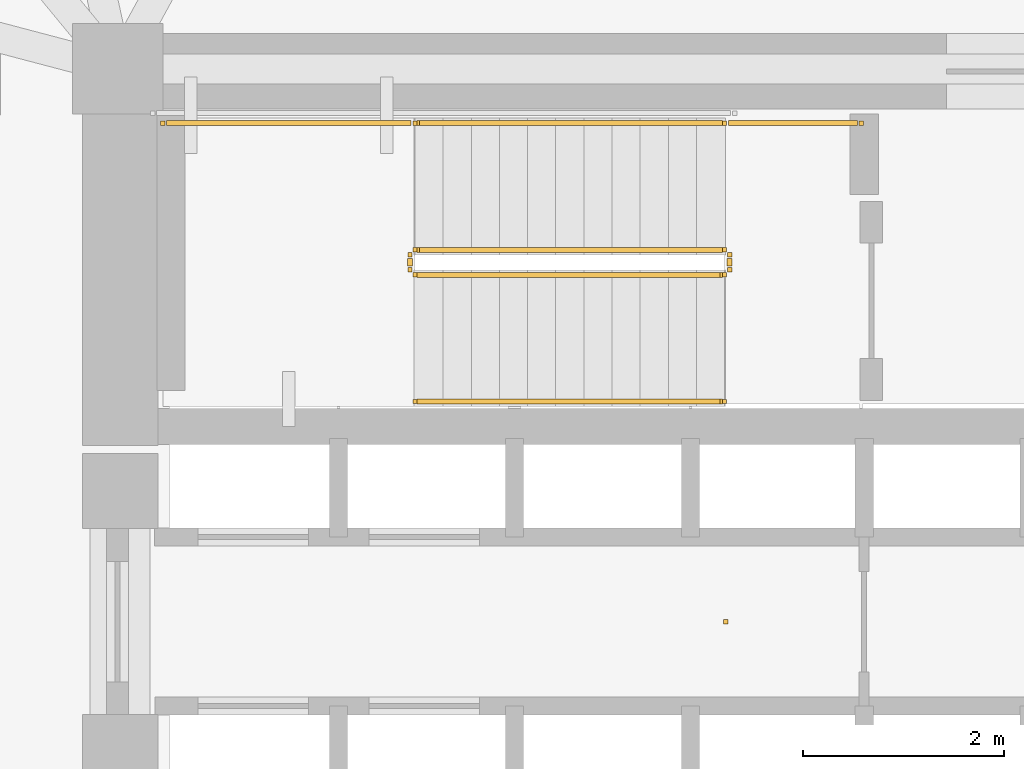
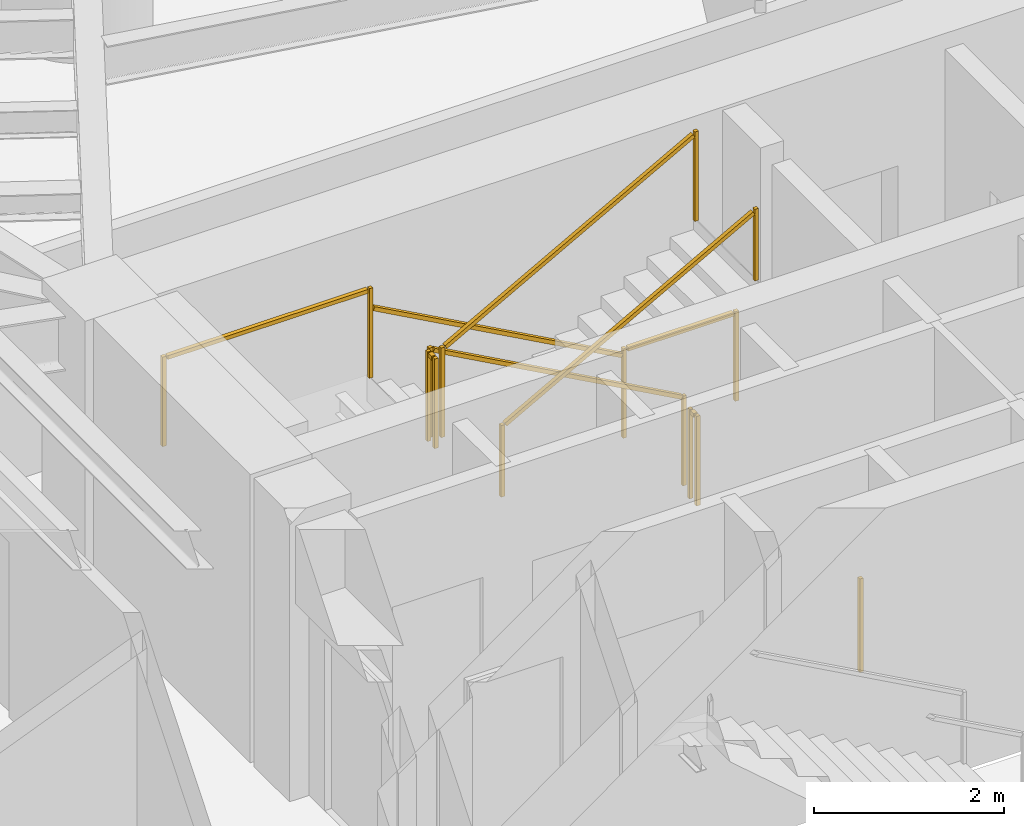
# One storey, part 9 of 10: 9 railings.
"""IFC4 building model written with IfcOpenShell, lengths in metres."""

from ifc_helpers import new_model, si_unit, direction, frame, origin, origin_2d, place, context, subcontext, project, spatial, rectangle, extrude, material, type_object, element, save


model = new_model("IFC4")

# Units and contexts
model_context = context("Model", 3, precision=1e-05, world=origin(), true_north=direction((0.0, 1.0)))
body_context = subcontext(model_context, "Body", "Model", "MODEL_VIEW")
ifc_project = project(units=[si_unit("LENGTHUNIT", "METRE"), si_unit("AREAUNIT", "SQUARE_METRE"), si_unit("VOLUMEUNIT", "CUBIC_METRE"), si_unit("PLANEANGLEUNIT", "RADIAN"), si_unit("MASSUNIT", "GRAM", prefix="KILO")], contexts=[model_context])

# Site, building, storey
site_placement = place(None, origin())
site = spatial("IfcSite", under=ifc_project, at=site_placement, CompositionType="ELEMENT")
building_placement = place(site_placement, origin())
building = spatial("IfcBuilding", under=site, at=building_placement, Name="Yunling Apex Tower", CompositionType="ELEMENT")
storey_placement = place(building_placement, frame((0.0, 0.0, 31.199951171875)))
storey = spatial("IfcBuildingStorey", under=building, at=storey_placement, Name="L09", CompositionType="ELEMENT", Elevation=31.199951171875)

# Railings
ifc_material_1 = material(Name="Bronze anodised aluminium", Category="aluminium")
railing_type_1 = type_object("IfcRailingType", Name="RL-BAL-1200", PredefinedType="BALUSTRADE", material=ifc_material_1)
railing_1_placement = place(storey_placement, origin())
element("IfcRailing", 1, at=railing_1_placement, inside=storey, type_object=railing_type_1, Name="RL-TATR-L09", PredefinedType="BALUSTRADE", context=body_context, shape_type="SweptSolid", body=[
    extrude(rectangle(XDim=0.0439453125, YDim=0.0439453125, at=origin_2d()), origin(), (0.0, 0.0, 1.0), 1.199951171875),
])
ifc_material_2 = material(Name="Steel Q355B", Category="steel")
railing_type_2 = type_object("IfcRailingType", Name="RL-GRD-1150", PredefinedType="GUARDRAIL", material=ifc_material_2)
railing_2_placement = place(storey_placement, frame((-0.010009765625, 3.699951171875, 0.154296875)))
element("IfcRailing", 2, at=railing_2_placement, inside=storey, type_object=railing_type_2, Name="L09 ST-1 stair guard 1", PredefinedType="GUARDRAIL", context=body_context, shape_type="SweptSolid", body=[
    extrude(rectangle(XDim=0.0439453125, YDim=0.0439453125, at=origin_2d()), origin(), (0.0, 0.0, 1.0), 1.14990234375),
    extrude(rectangle(XDim=0.0439453125, YDim=0.0439453125, at=origin_2d()), frame((-3.080078125, 0.0, 1.69580078125)), (0.0, 0.0, 1.0), 1.14990234375),
    extrude(rectangle(XDim=0.050048828125, YDim=0.050048828125, at=origin_2d()), frame((-0.03369140625, 0.0, 1.143310546875), z_axis=(-0.876004717809, 0.0, 0.482302534076), x_axis=(0.0, -1.0, 0.0)), (0.0, 0.0, 1.0), 3.439453125),
])
railing_3_placement = place(storey_placement, frame((-3.139892578125, 3.64990234375, 1.85009765625)))
element("IfcRailing", 3, at=railing_3_placement, inside=storey, type_object=railing_type_2, Name="L09 ST-1 stair guard 2", PredefinedType="GUARDRAIL", context=body_context, shape_type="SweptSolid", body=[
    extrude(rectangle(XDim=0.0439453125, YDim=0.0439453125, at=origin_2d()), origin(), (0.0, 0.0, 1.0), 1.14990234375),
    extrude(rectangle(XDim=0.0439453125, YDim=0.0439453125, at=origin_2d()), frame((0.0, -0.14990234375, 0.0)), (0.0, 0.0, 1.0), 1.14990234375),
    extrude(rectangle(XDim=0.050048828125, YDim=0.050048828125, at=origin_2d()), frame((0.0, -0.038330078125, 1.125), z_axis=(0.0, -1.0, 0.0), x_axis=(1.0, 0.0, 0.0)), (0.0, 0.0, 1.0), 0.0732421875),
])
railing_4_placement = place(storey_placement, frame((-3.090087890625, 4.9599609375, 1.85009765625)))
element("IfcRailing", 4, at=railing_4_placement, inside=storey, type_object=railing_type_2, Name="L09 ST-1 stair guard 3", PredefinedType="GUARDRAIL", context=body_context, shape_type="SweptSolid", body=[
    extrude(rectangle(XDim=0.0439453125, YDim=0.0439453125, at=origin_2d()), origin(), (0.0, 0.0, 1.0), 1.14990234375),
    extrude(rectangle(XDim=0.0439453125, YDim=0.0439453125, at=origin_2d()), frame((-2.510009765625, 0.0, 0.0)), (0.0, 0.0, 1.0), 1.14990234375),
    extrude(rectangle(XDim=0.050048828125, YDim=0.050048828125, at=origin_2d()), frame((-0.038330078125, 0.0, 1.125), z_axis=(-1.0, 0.0, 0.0), x_axis=(0.0, -1.0, 0.0)), (0.0, 0.0, 1.0), 2.433349609375),
])
railing_5_placement = place(storey_placement, frame((-3.090087890625, 3.449951171875, 2.004150390625)))
element("IfcRailing", 5, at=railing_5_placement, inside=storey, type_object=railing_type_2, Name="L09 ST-1 stair guard 4", PredefinedType="GUARDRAIL", context=body_context, shape_type="SweptSolid", body=[
    extrude(rectangle(XDim=0.0439453125, YDim=0.0439453125, at=origin_2d()), origin(), (0.0, 0.0, 1.0), 1.14990234375),
    extrude(rectangle(XDim=0.0439453125, YDim=0.0439453125, at=origin_2d()), frame((3.080078125, 0.0, 1.69580078125)), (0.0, 0.0, 1.0), 1.14990234375),
    extrude(rectangle(XDim=0.050048828125, YDim=0.050048828125, at=origin_2d()), frame((0.03369140625, 0.0, 1.143310546875), z_axis=(0.876004717809, 0.0, 0.482302534076), x_axis=(0.0, 1.0, 0.0)), (0.0, 0.0, 1.0), 3.439453125),
])
railing_6_placement = place(storey_placement, frame((0.0400390625, 3.64990234375, 0.0)))
element("IfcRailing", 6, at=railing_6_placement, inside=storey, type_object=railing_type_2, Name="L09 ST-1 stair guard 5", PredefinedType="GUARDRAIL", context=body_context, shape_type="SweptSolid", body=[
    extrude(rectangle(XDim=0.0439453125, YDim=0.0439453125, at=origin_2d()), origin(), (0.0, 0.0, 1.0), 1.14990234375),
    extrude(rectangle(XDim=0.0439453125, YDim=0.0439453125, at=origin_2d()), frame((0.0, -0.14990234375, 0.0)), (0.0, 0.0, 1.0), 1.14990234375),
    extrude(rectangle(XDim=0.050048828125, YDim=0.050048828125, at=origin_2d()), frame((0.0, -0.038330078125, 1.125), z_axis=(0.0, -1.0, 0.0), x_axis=(1.0, 0.0, 0.0)), (0.0, 0.0, 1.0), 0.0732421875),
])
railing_7_placement = place(storey_placement, frame((1.35009765625, 4.9599609375, 0.0)))
element("IfcRailing", 7, at=railing_7_placement, inside=storey, type_object=railing_type_2, Name="L09 ST-1 stair guard 6", PredefinedType="GUARDRAIL", context=body_context, shape_type="SweptSolid", body=[
    extrude(rectangle(XDim=0.0439453125, YDim=0.0439453125, at=origin_2d()), origin(), (0.0, 0.0, 1.0), 1.14990234375),
    extrude(rectangle(XDim=0.0439453125, YDim=0.0439453125, at=origin_2d()), frame((-1.360107421875, 0.0, 0.0)), (0.0, 0.0, 1.0), 1.14990234375),
    extrude(rectangle(XDim=0.050048828125, YDim=0.050048828125, at=origin_2d()), frame((-0.038330078125, 0.0, 1.125), z_axis=(-1.0, 0.0, 0.0), x_axis=(0.0, -1.0, 0.0)), (0.0, 0.0, 1.0), 1.283447265625),
])
ifc_material_3 = material(Name="Silver anodised aluminium", Category="aluminium")
railing_type_3 = type_object("IfcRailingType", Name="RL-HND-900", PredefinedType="HANDRAIL", material=ifc_material_3)
railing_8_placement = place(storey_placement, frame((-0.010009765625, 4.9599609375, 0.154296875)))
element("IfcRailing", 8, at=railing_8_placement, inside=storey, type_object=railing_type_3, Name="L09 ST-1 stair handrail 1", PredefinedType="HANDRAIL", context=body_context, shape_type="SweptSolid", body=[
    extrude(rectangle(XDim=0.0439453125, YDim=0.0439453125, at=origin_2d()), origin(), (0.0, 0.0, 1.0), 0.919921875),
    extrude(rectangle(XDim=0.0439453125, YDim=0.0439453125, at=origin_2d()), frame((-3.080078125, 0.0, 1.69580078125)), (0.0, 0.0, 1.0), 0.919921875),
    extrude(rectangle(XDim=0.050048828125, YDim=0.050048828125, at=origin_2d()), frame((-0.03369140625, 0.0, 0.913330078125), z_axis=(-0.876004717809, 0.0, 0.482302534076), x_axis=(0.0, -1.0, 0.0)), (0.0, 0.0, 1.0), 3.439453125),
])
railing_9_placement = place(storey_placement, frame((-3.090087890625, 2.18994140625, 2.004150390625)))
element("IfcRailing", 9, at=railing_9_placement, inside=storey, type_object=railing_type_3, Name="L09 ST-1 stair handrail 2", PredefinedType="HANDRAIL", context=body_context, shape_type="SweptSolid", body=[
    extrude(rectangle(XDim=0.0439453125, YDim=0.0439453125, at=origin_2d()), origin(), (0.0, 0.0, 1.0), 0.919921875),
    extrude(rectangle(XDim=0.0439453125, YDim=0.0439453125, at=origin_2d()), frame((3.080078125, 0.0, 1.69580078125)), (0.0, 0.0, 1.0), 0.919921875),
    extrude(rectangle(XDim=0.050048828125, YDim=0.050048828125, at=origin_2d()), frame((0.03369140625, 0.0, 0.913330078125), z_axis=(0.876004717809, 0.0, 0.482302534076), x_axis=(0.0, 1.0, 0.0)), (0.0, 0.0, 1.0), 3.439453125),
])

save(model, "model.ifc")
